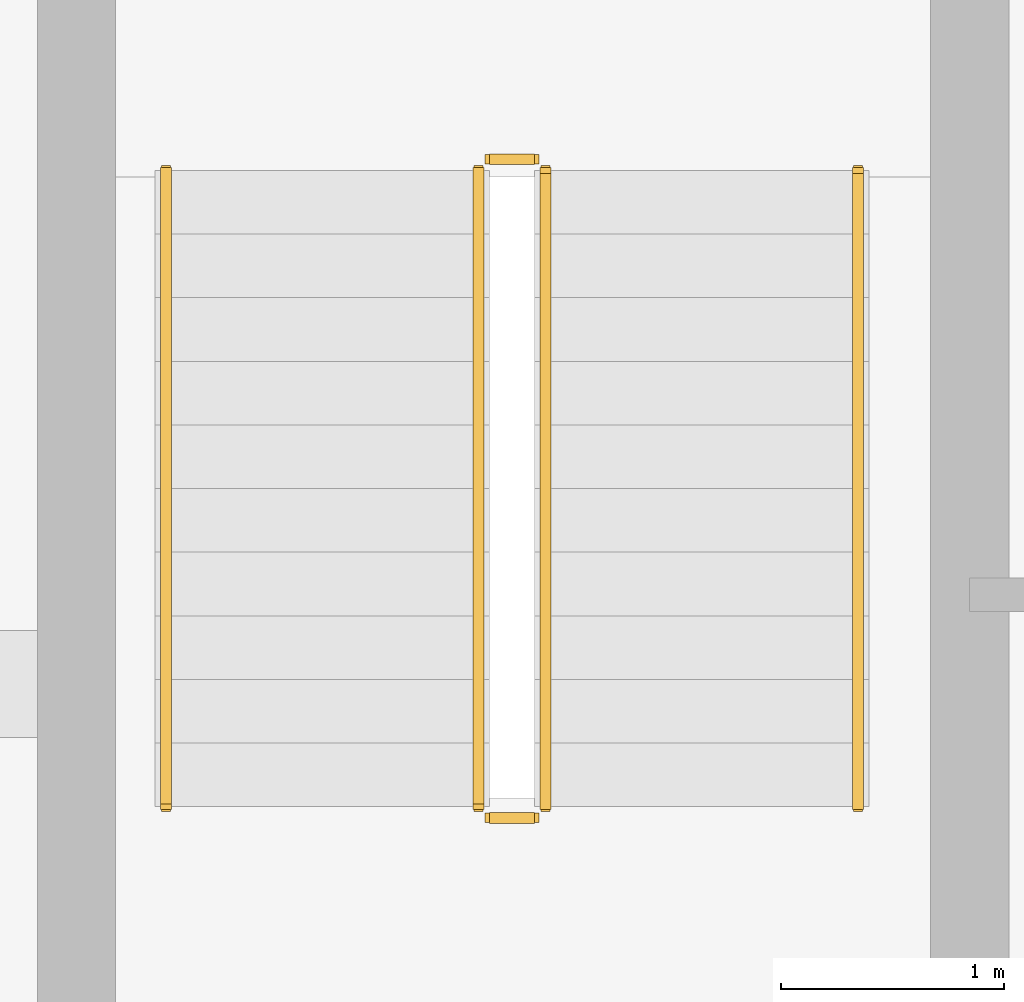
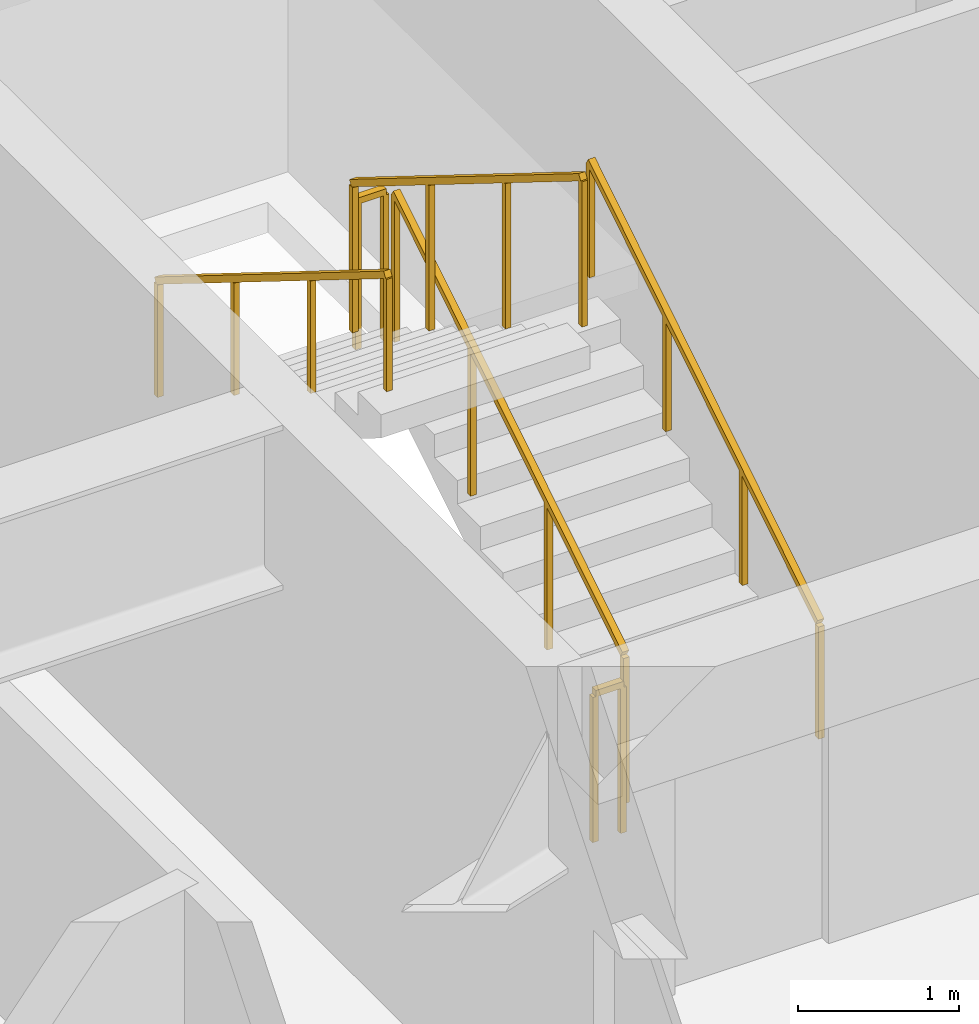
# One storey, part 22 of 24: 6 railings.
"""IFC4 building model written with IfcOpenShell, lengths in metres."""

from ifc_helpers import new_model, si_unit, direction, frame, origin, origin_2d, place, context, subcontext, project, spatial, rectangle, extrude, material, type_object, element, save


model = new_model("IFC4")

# Units and contexts
model_context = context("Model", 3, precision=1e-05, world=origin(), true_north=direction((0.0, 1.0)))
body_context = subcontext(model_context, "Body", "Model", "MODEL_VIEW")
ifc_project = project(units=[si_unit("LENGTHUNIT", "METRE"), si_unit("AREAUNIT", "SQUARE_METRE"), si_unit("VOLUMEUNIT", "CUBIC_METRE"), si_unit("PLANEANGLEUNIT", "RADIAN"), si_unit("MASSUNIT", "GRAM", prefix="KILO")], contexts=[model_context])

# Site, building, storey
site_placement = place(None, origin())
site = spatial("IfcSite", under=ifc_project, at=site_placement, CompositionType="ELEMENT")
building_placement = place(site_placement, origin())
building = spatial("IfcBuilding", under=site, at=building_placement, Name="Sarneth Arch Tower", CompositionType="ELEMENT")
storey_placement = place(building_placement, frame((0.0, 0.0, 312.60009765625)))
storey = spatial("IfcBuildingStorey", under=building, at=storey_placement, Name="L81", CompositionType="ELEMENT", Elevation=312.60009765625)

# Railings
ifc_material_1 = material(Name="Brushed Stainless Steel 304 tubular handrail", Category="steel")
railing_type_1 = type_object("IfcRailingType", Name="RAIL-HANDRAIL-900", PredefinedType="HANDRAIL", material=ifc_material_1)
railing_1_placement = place(storey_placement, frame((40.5, 41.449951171875, 0.17724609375)))
element("IfcRailing", 1, at=railing_1_placement, inside=storey, type_object=railing_type_1, Name="L81 ST-1 stair handrail 1", PredefinedType="HANDRAIL", context=body_context, shape_type="SweptSolid", body=[
    extrude(rectangle(XDim=0.048095703125, YDim=0.048095703125, at=origin_2d()), frame((0.0, 0.0, 0.8759765625), z_axis=(0.0, 0.849148672731, 0.528153890072), x_axis=(-1.0, 0.0, 0.0)), (0.0, 0.0, 1.0), 3.3564453125),
    extrude(rectangle(XDim=0.0419921875, YDim=0.0419921875, at=origin_2d()), origin(), (0.0, 0.0, 1.0), 0.851806640625),
    extrude(rectangle(XDim=0.0419921875, YDim=0.0419921875, at=origin_2d()), frame((0.0, 0.949951171875, 0.5908203125)), (0.0, 0.0, 1.0), 0.851806640625),
    extrude(rectangle(XDim=0.0419921875, YDim=0.0419921875, at=origin_2d()), frame((0.0, 1.900146484375, 1.181884765625)), (0.0, 0.0, 1.0), 0.851806640625),
    extrude(rectangle(XDim=0.0419921875, YDim=0.0419921875, at=origin_2d()), frame((0.0, 2.85009765625, 1.772705078125)), (0.0, 0.0, 1.0), 0.851806640625),
])
railing_2_placement = place(storey_placement, frame((37.39990234375, 44.300048828125, 2.127197265625)))
element("IfcRailing", 2, at=railing_2_placement, inside=storey, type_object=railing_type_1, Name="L81 ST-1 stair handrail 2", PredefinedType="HANDRAIL", context=body_context, shape_type="SweptSolid", body=[
    extrude(rectangle(XDim=0.048095703125, YDim=0.048095703125, at=origin_2d()), frame((0.0, 0.0, 0.8759765625), z_axis=(0.0, -0.849148672731, 0.528153890072), x_axis=(1.0, 0.0, 0.0)), (0.0, 0.0, 1.0), 3.3564453125),
    extrude(rectangle(XDim=0.0419921875, YDim=0.0419921875, at=origin_2d()), origin(), (0.0, 0.0, 1.0), 0.851806640625),
    extrude(rectangle(XDim=0.0419921875, YDim=0.0419921875, at=origin_2d()), frame((0.0, -0.949951171875, 0.5908203125)), (0.0, 0.0, 1.0), 0.851806640625),
    extrude(rectangle(XDim=0.0419921875, YDim=0.0419921875, at=origin_2d()), frame((0.0, -1.900146484375, 1.181884765625)), (0.0, 0.0, 1.0), 0.851806640625),
    extrude(rectangle(XDim=0.0419921875, YDim=0.0419921875, at=origin_2d()), frame((0.0, -2.85009765625, 1.772705078125)), (0.0, 0.0, 1.0), 0.851806640625),
])
ifc_material_2 = material(Name="Painted Steel S275 stair well guard", Category="steel")
railing_type_2 = type_object("IfcRailingType", Name="RAIL-STAIR-GUARD", PredefinedType="GUARDRAIL", material=ifc_material_2)
railing_3_placement = place(storey_placement, frame((39.10009765625, 41.449951171875, 0.17724609375)))
element("IfcRailing", 3, at=railing_3_placement, inside=storey, type_object=railing_type_2, Name="L81 ST-1 stair guard 1", PredefinedType="GUARDRAIL", context=body_context, shape_type="SweptSolid", body=[
    extrude(rectangle(XDim=0.048095703125, YDim=0.048095703125, at=origin_2d()), frame((0.0, 0.0, 1.1259765625), z_axis=(0.0, 0.849148672731, 0.528153890072), x_axis=(-1.0, 0.0, 0.0)), (0.0, 0.0, 1.0), 3.3564453125),
    extrude(rectangle(XDim=0.0419921875, YDim=0.0419921875, at=origin_2d()), origin(), (0.0, 0.0, 1.0), 1.101806640625),
    extrude(rectangle(XDim=0.0419921875, YDim=0.0419921875, at=origin_2d()), frame((0.0, 0.949951171875, 0.5908203125)), (0.0, 0.0, 1.0), 1.101806640625),
    extrude(rectangle(XDim=0.0419921875, YDim=0.0419921875, at=origin_2d()), frame((0.0, 1.900146484375, 1.181884765625)), (0.0, 0.0, 1.0), 1.101806640625),
    extrude(rectangle(XDim=0.0419921875, YDim=0.0419921875, at=origin_2d()), frame((0.0, 2.85009765625, 1.772705078125)), (0.0, 0.0, 1.0), 1.101806640625),
])
railing_4_placement = place(storey_placement, frame((39.050048828125, 44.35009765625, 1.949951171875)))
element("IfcRailing", 4, at=railing_4_placement, inside=storey, type_object=railing_type_2, Name="L81 ST-1 stair guard 2", PredefinedType="GUARDRAIL", context=body_context, shape_type="SweptSolid", body=[
    extrude(rectangle(XDim=0.048095703125, YDim=0.048095703125, at=origin_2d()), frame((0.0, 0.0, 1.1259765625), z_axis=(-1.0, 0.0, 0.0), x_axis=(0.0, -1.0, 0.0)), (0.0, 0.0, 1.0), 0.199951171875),
    extrude(rectangle(XDim=0.0419921875, YDim=0.0419921875, at=origin_2d()), origin(), (0.0, 0.0, 1.0), 1.101806640625),
    extrude(rectangle(XDim=0.0419921875, YDim=0.0419921875, at=origin_2d()), frame((-0.199951171875, 0.0, 0.0)), (0.0, 0.0, 1.0), 1.101806640625),
])
railing_5_placement = place(storey_placement, frame((38.800048828125, 44.300048828125, 2.127197265625)))
element("IfcRailing", 5, at=railing_5_placement, inside=storey, type_object=railing_type_2, Name="L81 ST-1 stair guard 3", PredefinedType="GUARDRAIL", context=body_context, shape_type="SweptSolid", body=[
    extrude(rectangle(XDim=0.048095703125, YDim=0.048095703125, at=origin_2d()), frame((0.0, 0.0, 1.1259765625), z_axis=(0.0, -0.849148672731, 0.528153890072), x_axis=(1.0, 0.0, 0.0)), (0.0, 0.0, 1.0), 3.3564453125),
    extrude(rectangle(XDim=0.0419921875, YDim=0.0419921875, at=origin_2d()), origin(), (0.0, 0.0, 1.0), 1.101806640625),
    extrude(rectangle(XDim=0.0419921875, YDim=0.0419921875, at=origin_2d()), frame((0.0, -0.949951171875, 0.5908203125)), (0.0, 0.0, 1.0), 1.101806640625),
    extrude(rectangle(XDim=0.0419921875, YDim=0.0419921875, at=origin_2d()), frame((0.0, -1.900146484375, 1.181884765625)), (0.0, 0.0, 1.0), 1.101806640625),
    extrude(rectangle(XDim=0.0419921875, YDim=0.0419921875, at=origin_2d()), frame((0.0, -2.85009765625, 1.772705078125)), (0.0, 0.0, 1.0), 1.101806640625),
])
railing_6_placement = place(storey_placement, frame((39.050048828125, 41.39990234375, 0.0)))
element("IfcRailing", 6, at=railing_6_placement, inside=storey, type_object=railing_type_2, Name="L81 ST-1 stair guard 4", PredefinedType="GUARDRAIL", context=body_context, shape_type="SweptSolid", body=[
    extrude(rectangle(XDim=0.048095703125, YDim=0.048095703125, at=origin_2d()), frame((0.0, 0.0, 1.1259765625), z_axis=(-1.0, 0.0, 0.0), x_axis=(0.0, -1.0, 0.0)), (0.0, 0.0, 1.0), 0.199951171875),
    extrude(rectangle(XDim=0.0419921875, YDim=0.0419921875, at=origin_2d()), origin(), (0.0, 0.0, 1.0), 1.101806640625),
    extrude(rectangle(XDim=0.0419921875, YDim=0.0419921875, at=origin_2d()), frame((-0.199951171875, 0.0, 0.0)), (0.0, 0.0, 1.0), 1.101806640625),
])

save(model, "model.ifc")
